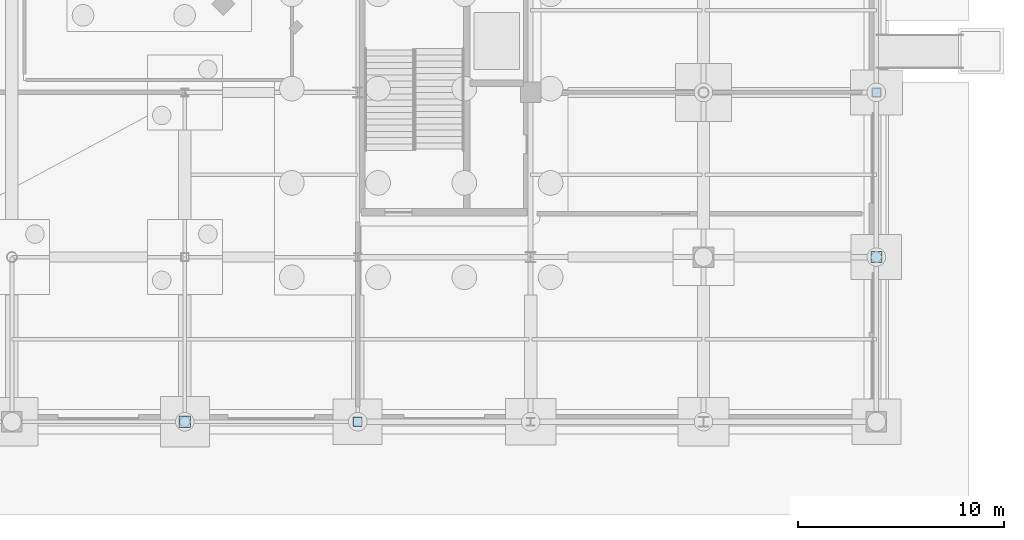
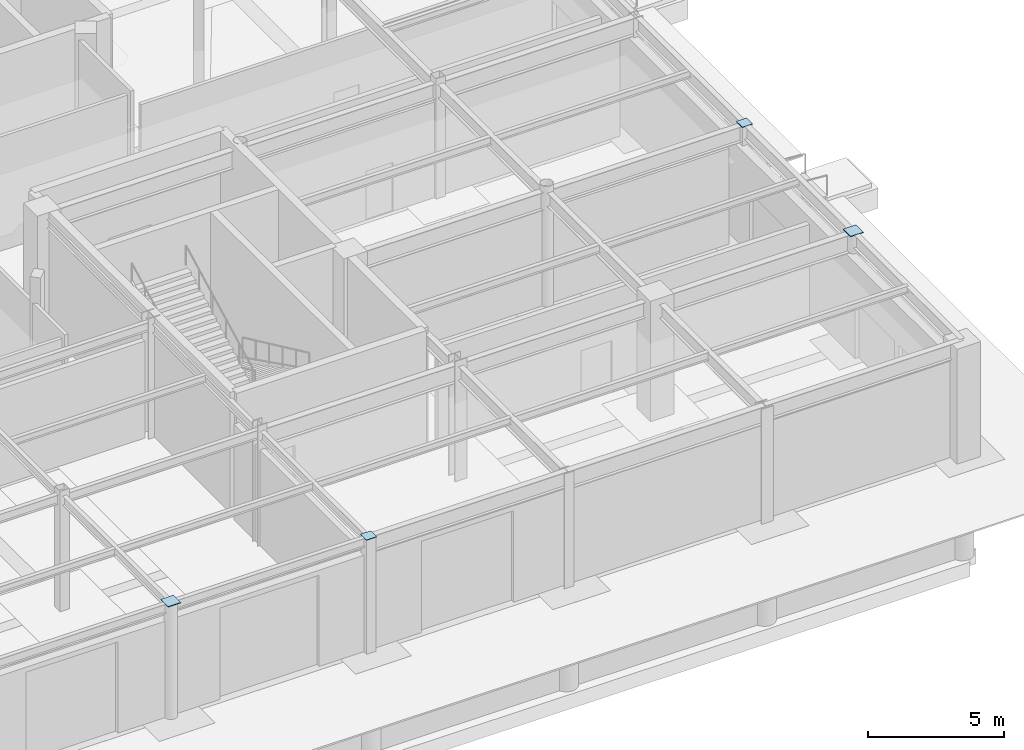
# One storey, part 47 of 93: 4 plates.
"""IFC4 building model written with IfcOpenShell, lengths in metres."""

from ifc_helpers import new_model, si_unit, direction, frame, origin, origin_2d, place, context, subcontext, project, spatial, rectangle, extrude, material, layer, layer_set, type_object, element, save


model = new_model("IFC4")

# Units and contexts
model_context = context("Model", 3, precision=1e-05, world=origin(), true_north=direction((0.0, 1.0)))
body_context = subcontext(model_context, "Body", "Model", "MODEL_VIEW")
ifc_project = project(units=[si_unit("LENGTHUNIT", "METRE"), si_unit("AREAUNIT", "SQUARE_METRE"), si_unit("VOLUMEUNIT", "CUBIC_METRE"), si_unit("PLANEANGLEUNIT", "RADIAN"), si_unit("MASSUNIT", "GRAM", prefix="KILO")], contexts=[model_context])

# Site, building, storey
site_placement = place(None, origin())
site = spatial("IfcSite", under=ifc_project, at=site_placement, CompositionType="ELEMENT")
building_placement = place(site_placement, origin())
building = spatial("IfcBuilding", under=site, at=building_placement, Name="Kalgoora Escarpment Arena", CompositionType="ELEMENT")
storey_placement = place(building_placement, origin())
storey = spatial("IfcBuildingStorey", under=building, at=storey_placement, Name="L00", CompositionType="ELEMENT", Elevation=0.0)

# Plates
ifc_material_1 = material(Name="Structural steel Grade 350 (350 MPa)", Category="steel")
ifc_layer_1 = layer(ifc_material_1, 0.02490234375)
ifc_layer_set_1 = layer_set([ifc_layer_1], Name="PLT-CAP-400")
plate_type_1 = type_object("IfcPlateType", Name="PLT-CAP-400", PredefinedType="USERDEFINED", material=ifc_layer_set_1)
for number, where, z_axis, x_axis, name in (
    (1, (159.60009765625, 0.0, 5.125), (0.0, 0.0, 1.0), (1.0, 0.0, 0.0), "COL-G20-A-L00 end cap plate"),
    (2, (184.800048828125, 16.0, 5.135009765625), (0.0, 0.0, 1.0), (1.0, 0.0, 0.0), "COL-G23-C-L00 end cap plate"),
):
    element("IfcPlate", number, at=place(storey_placement, frame(where, z_axis=z_axis, x_axis=x_axis)), inside=storey, type_object=plate_type_1, Name=name, ObjectType="FLANGE PLATE", PredefinedType="USERDEFINED", context=body_context, shape_type="SweptSolid", body=[
        extrude(rectangle(XDim=0.43994140625, YDim=0.43994140625, at=origin_2d()), origin(), (0.0, 0.0, 1.0), 0.02490234375),
    ])
ifc_material_2 = material(Name="Structural steel Grade 350 (350 MPa)", Category="steel")
ifc_layer_2 = layer(ifc_material_2, 0.02490234375)
ifc_layer_set_2 = layer_set([ifc_layer_2], Name="PLT-CAP-508")
plate_type_2 = type_object("IfcPlateType", Name="PLT-CAP-508", PredefinedType="USERDEFINED", material=ifc_layer_set_2)
for number, where, z_axis, x_axis, name in (
    (3, (151.199951171875, 0.0, 5.125), (0.0, 0.0, 1.0), (1.0, 0.0, 0.0), "COL-G19-A-L00 end cap plate"),
    (4, (184.800048828125, 8.0, 5.135009765625), (0.0, 0.0, 1.0), (1.0, 0.0, 0.0), "COL-G23-B-L00 end cap plate"),
):
    element("IfcPlate", number, at=place(storey_placement, frame(where, z_axis=z_axis, x_axis=x_axis)), inside=storey, type_object=plate_type_2, Name=name, ObjectType="FLANGE PLATE", PredefinedType="USERDEFINED", context=body_context, shape_type="SweptSolid", body=[
        extrude(rectangle(XDim=0.548095703125, YDim=0.548095703125, at=origin_2d()), origin(), (0.0, 0.0, 1.0), 0.02490234375),
    ])

save(model, "model.ifc")
